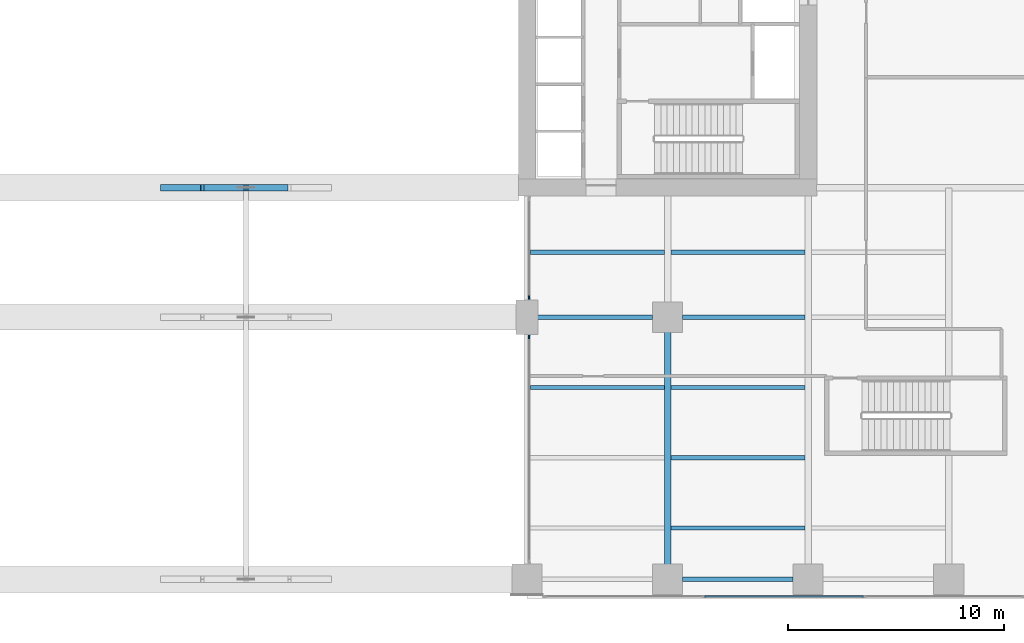
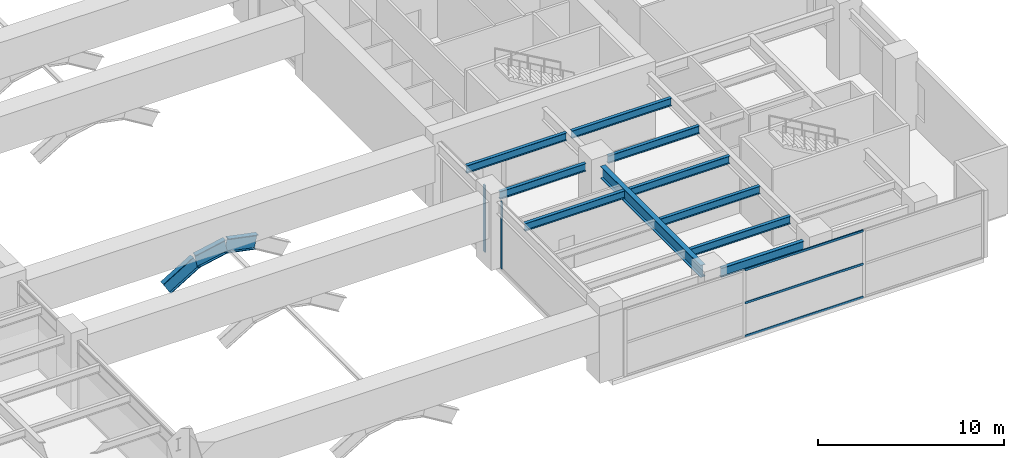
# One storey, part 4 of 23: 10 beams, 8 members, 3 elements without a shape of their own.
"""IFC4 building model written with IfcOpenShell, lengths in metres."""

from ifc_helpers import new_model, si_unit, direction, frame, origin, origin_2d, place, context, subcontext, project, spatial, rectangle, i_section, extrude, material, layer, layer_set, material_profile, profile_set, type_object, element, aggregate, save


model = new_model("IFC4")

# Units and contexts
model_context = context("Model", 3, precision=1e-05, world=origin(), true_north=direction((0.0, 1.0)))
body_context = subcontext(model_context, "Body", "Model", "MODEL_VIEW")
ifc_project = project(units=[si_unit("LENGTHUNIT", "METRE"), si_unit("AREAUNIT", "SQUARE_METRE"), si_unit("VOLUMEUNIT", "CUBIC_METRE"), si_unit("PLANEANGLEUNIT", "RADIAN"), si_unit("MASSUNIT", "GRAM", prefix="KILO")], contexts=[model_context])

# Site, building, storey
site_placement = place(None, origin())
site = spatial("IfcSite", under=ifc_project, at=site_placement, CompositionType="ELEMENT")
building_placement = place(site_placement, origin())
building = spatial("IfcBuilding", under=site, at=building_placement, Name="Putna Gate Headquarters", CompositionType="ELEMENT")
storey_placement = place(building_placement, frame((0.0, 0.0, 17.0)))
storey = spatial("IfcBuildingStorey", under=building, at=storey_placement, Name="L03", CompositionType="ELEMENT", Elevation=17.0)

# Beams
ifc_material_1 = material(Name="Steel S355J2", Category="steel")
ifc_material_profile_1 = material_profile(ifc_material_1, i_section(OverallWidth=0.300048828125, OverallDepth=0.800048828125, WebThickness=0.017578125, FlangeThickness=0.032958984375, at=origin_2d()), Name="Steel S355J2")
ifc_profile_set_1 = profile_set([ifc_material_profile_1], Name="Steel S355J2")
beam_type_1 = type_object("IfcBeamType", Name="BM-GIRD-P-HEB800", PredefinedType="USERDEFINED", material=ifc_profile_set_1)
beam_1_placement = place(storey_placement, frame((58.5, 1.568115234375, 4.0), z_axis=(0.0, 1.0, 0.0), x_axis=(-1.0, 0.0, 0.0)))
element("IfcBeam", 1, at=beam_1_placement, inside=storey, type_object=beam_type_1, Name="L03 South Primary Girder X58-1", ObjectType="GIRDER", PredefinedType="USERDEFINED", context=body_context, shape_type="SweptSolid", body=[
    extrude(i_section(OverallWidth=0.300048828125, OverallDepth=0.800048828125, WebThickness=0.017578125, FlangeThickness=0.032958984375, at=origin_2d()), origin(), (0.0, 0.0, 1.0), 10.743896484375),
])
ifc_material_profile_2 = material_profile(ifc_material_1, i_section(OverallWidth=0.199951171875, OverallDepth=0.5, WebThickness=0.01025390625, FlangeThickness=0.01611328125, at=origin_2d()), Name="Steel S355J2")
ifc_profile_set_2 = profile_set([ifc_material_profile_2], Name="Steel S355J2")
beam_type_2 = type_object("IfcBeamType", Name="BM-SEC-P-IPE500", PredefinedType="BEAM", material=ifc_profile_set_2)
beam_2_placement = place(storey_placement, frame((52.154052734375, 9.75, 4.14990234375), z_axis=(1.0, 0.0, 0.0), x_axis=(0.0, 1.0, 0.0)))
element("IfcBeam", 2, at=beam_2_placement, inside=storey, type_object=beam_type_2, Name="L03 South Secondary Beam 5", PredefinedType="BEAM", context=body_context, shape_type="SweptSolid", body=[
    extrude(i_section(OverallWidth=0.199951171875, OverallDepth=0.5, WebThickness=0.01025390625, FlangeThickness=0.01611328125, at=origin_2d()), origin(), (0.0, 0.0, 1.0), 6.19189453125),
])
beam_3_placement = place(storey_placement, frame((52.488037109375, 13.0, 4.14990234375), z_axis=(1.0, 0.0, 0.0), x_axis=(0.0, 1.0, 0.0)))
element("IfcBeam", 3, at=beam_3_placement, inside=storey, type_object=beam_type_2, Name="L03 South Secondary Beam 5", PredefinedType="BEAM", context=body_context, shape_type="SweptSolid", body=[
    extrude(i_section(OverallWidth=0.199951171875, OverallDepth=0.5, WebThickness=0.01025390625, FlangeThickness=0.01611328125, at=origin_2d()), origin(), (0.0, 0.0, 1.0), 5.323974609375),
])
for number, where, z_axis, x_axis, name in (
    (4, (52.154052734375, 16.0, 4.14990234375), (1.0, 0.0, 0.0), (0.0, 1.0, 0.0), "L03 South Secondary Beam 5"),
    (5, (58.654052734375, 3.25, 4.14990234375), (1.0, 0.0, 0.0), (0.0, 1.0, 0.0), "L03 South Secondary Beam 6"),
    (6, (58.654052734375, 6.5, 4.14990234375), (1.0, 0.0, 0.0), (0.0, 1.0, 0.0), "L03 South Secondary Beam 6"),
    (7, (58.654052734375, 9.75, 4.14990234375), (1.0, 0.0, 0.0), (0.0, 1.0, 0.0), "L03 South Secondary Beam 6"),
):
    element("IfcBeam", number, at=place(storey_placement, frame(where, z_axis=z_axis, x_axis=x_axis)), inside=storey, type_object=beam_type_2, Name=name, PredefinedType="BEAM", context=body_context, shape_type="SweptSolid", body=[
        extrude(i_section(OverallWidth=0.199951171875, OverallDepth=0.5, WebThickness=0.01025390625, FlangeThickness=0.01611328125, at=origin_2d()), origin(), (0.0, 0.0, 1.0), 6.19189453125),
    ])
beam_4_placement = place(storey_placement, frame((59.18798828125, 13.0, 4.14990234375), z_axis=(1.0, 0.0, 0.0), x_axis=(0.0, 1.0, 0.0)))
element("IfcBeam", 8, at=beam_4_placement, inside=storey, type_object=beam_type_2, Name="L03 South Secondary Beam 6", PredefinedType="BEAM", context=body_context, shape_type="SweptSolid", body=[
    extrude(i_section(OverallWidth=0.199951171875, OverallDepth=0.5, WebThickness=0.01025390625, FlangeThickness=0.01611328125, at=origin_2d()), origin(), (0.0, 0.0, 1.0), 5.657958984375),
])
beam_5_placement = place(storey_placement, frame((58.654052734375, 16.0, 4.14990234375), z_axis=(1.0, 0.0, 0.0), x_axis=(0.0, 1.0, 0.0)))
element("IfcBeam", 9, at=beam_5_placement, inside=storey, type_object=beam_type_2, Name="L03 South Secondary Beam 6", PredefinedType="BEAM", context=body_context, shape_type="SweptSolid", body=[
    extrude(i_section(OverallWidth=0.199951171875, OverallDepth=0.5, WebThickness=0.01025390625, FlangeThickness=0.01611328125, at=origin_2d()), origin(), (0.0, 0.0, 1.0), 6.19189453125),
])
ifc_material_profile_3 = material_profile(ifc_material_1, i_section(OverallWidth=0.219970703125, OverallDepth=0.60009765625, WebThickness=0.011962890625, FlangeThickness=0.01904296875, at=origin_2d()), Name="Steel S355J2")
ifc_profile_set_3 = profile_set([ifc_material_profile_3], Name="Steel S355J2")
beam_type_3 = type_object("IfcBeamType", Name="BM-SPAN-P-IPE600", PredefinedType="SPANDREL", material=ifc_profile_set_3)
beam_6_placement = place(storey_placement, frame((59.18798828125, 0.8798828125, 4.10009765625), z_axis=(1.0, 0.0, 0.0), x_axis=(0.0, 1.0, 0.0)))
element("IfcBeam", 10, at=beam_6_placement, inside=storey, type_object=beam_type_3, Name="L03 S Perimeter Spandrel 6", PredefinedType="SPANDREL", context=body_context, shape_type="SweptSolid", body=[
    extrude(i_section(OverallWidth=0.219970703125, OverallDepth=0.60009765625, WebThickness=0.011962890625, FlangeThickness=0.01904296875, at=origin_2d()), origin(), (0.0, 0.0, 1.0), 5.1240234375),
])

# Members
ifc_material_2 = material(Name="Steel S460M", Category="steel")
ifc_material_profile_4 = material_profile(ifc_material_2, i_section(OverallWidth=0.302001953125, OverallDepth=0.909912109375, WebThickness=0.02099609375, FlangeThickness=0.0400390625, at=origin_2d()), Name="Steel S460M")
ifc_profile_set_4 = profile_set([ifc_material_profile_4], Name="Steel S460M")
member_type_1 = type_object("IfcMemberType", Name="MEM-ARCH-CHORD-INT-HEM900", PredefinedType="STRUT", material=ifc_profile_set_4)
member_1_placement = place(storey_placement, frame((35.28564453125, 19.0, 0.447998046875), z_axis=(0.855013592355, 0.0, 0.518605588948), x_axis=(0.0, 1.0, 0.0)))
element("IfcMember", 11, at=member_1_placement, inside=storey, type_object=member_type_1, Name="Giant Parabolic Arch Chord AS-6", PredefinedType="STRUT", context=body_context, shape_type="SweptSolid", body=[
    extrude(i_section(OverallWidth=0.302001953125, OverallDepth=0.909912109375, WebThickness=0.02099609375, FlangeThickness=0.0400390625, at=origin_2d()), origin(), (0.0, 0.0, 1.0), 2.172119140625),
])
for number, where, z_axis, x_axis, name in (
    (12, (37.142822265625, 19.0, 1.574462890625), (0.980167187845, 0.0, 0.198172358999), (0.0, 1.0, 0.0), "Giant Parabolic Arch Chord AS-7"),
    (13, (39.0, 19.0, 1.949951171875), (0.980167187845, 0.0, -0.198172358999), (0.0, 1.0, 0.0), "Giant Parabolic Arch Chord AS-8"),
):
    element("IfcMember", number, at=place(storey_placement, frame(where, z_axis=z_axis, x_axis=x_axis)), inside=storey, type_object=member_type_1, Name=name, PredefinedType="STRUT", context=body_context, shape_type="SweptSolid", body=[
        extrude(i_section(OverallWidth=0.302001953125, OverallDepth=0.909912109375, WebThickness=0.02099609375, FlangeThickness=0.0400390625, at=origin_2d()), origin(), (0.0, 0.0, 1.0), 1.894775390625),
    ])

# Curtain wall, member
ifc_material_3 = material(Name="Anodised bronze aluminium curtain wall", Category="aluminium")
ifc_layer_1 = layer(ifc_material_3, 0.179931640625)
ifc_layer_set_1 = layer_set([ifc_layer_1], Name="Anodised bronze aluminium curtain wall")
curtain_wall_type_1 = type_object("IfcCurtainWallType", Name="CW-SYS-ATR", PredefinedType="USERDEFINED", material=ifc_layer_set_1)
curtain_wall_1_placement = place(storey_placement, origin())
curtain_wall_1 = element("IfcCurtainWall", 14, at=curtain_wall_1_placement, inside=storey, type_object=curtain_wall_type_1, Name="L03 Arch Flank Glazing E-S1", ObjectType="ATRIUM GLAZING", PredefinedType="USERDEFINED")
ifc_material_4 = material(Name="Anodised bronze aluminium EN AW-6060", Category="aluminium")
ifc_material_profile_5 = material_profile(ifc_material_4, rectangle(XDim=0.070068359375, YDim=0.179931640625, at=origin_2d()), Name="Anodised bronze aluminium EN AW-6060")
ifc_profile_set_5 = profile_set([ifc_material_profile_5], Name="Anodised bronze aluminium EN AW-6060")
member_type_2 = type_object("IfcMemberType", Name="MULL-CWM-AT", PredefinedType="MULLION", material=ifc_profile_set_5)
member_2_placement = place(storey_placement, frame((52.10009765625, 12.0849609375, 0.0), z_axis=(0.0, 0.0, 1.0), x_axis=(-1.0, 0.0, 0.0)))
member_2 = element("IfcMember", 15, at=member_2_placement, type_object=member_type_2, Name="CWS-AT mullion 2", PredefinedType="MULLION", context=body_context, shape_type="SweptSolid", body=[
    extrude(rectangle(XDim=0.070068359375, YDim=0.179931640625, at=origin_2d()), origin(), (0.0, 0.0, 1.0), 4.39990234375),
])
aggregate(curtain_wall_1, [member_2])

curtain_wall_2_placement = place(storey_placement, origin())
curtain_wall_2 = element("IfcCurtainWall", 16, at=curtain_wall_2_placement, inside=storey, type_object=curtain_wall_type_1, Name="L03 Arch Flank Glazing E-S2", ObjectType="ATRIUM GLAZING", PredefinedType="USERDEFINED")
member_3_placement = place(storey_placement, frame((52.10009765625, 13.9150390625, 0.0), z_axis=(0.0, 0.0, 1.0), x_axis=(-1.0, 0.0, 0.0)))
member_3 = element("IfcMember", 17, at=member_3_placement, type_object=member_type_2, Name="CWS-AT mullion 1", PredefinedType="MULLION", context=body_context, shape_type="SweptSolid", body=[
    extrude(rectangle(XDim=0.070068359375, YDim=0.179931640625, at=origin_2d()), origin(), (0.0, 0.0, 1.0), 4.39990234375),
])
aggregate(curtain_wall_2, [member_3])

# Curtain wall, members
ifc_layer_2 = layer(ifc_material_3, 0.179931640625)
ifc_layer_set_2 = layer_set([ifc_layer_2], Name="Anodised bronze aluminium curtain wall")
curtain_wall_type_2 = type_object("IfcCurtainWallType", Name="CW-SYS-POD", PredefinedType="USERDEFINED", material=ifc_layer_set_2)
curtain_wall_3_placement = place(storey_placement, origin())
curtain_wall_3 = element("IfcCurtainWall", 18, at=curtain_wall_3_placement, inside=storey, type_object=curtain_wall_type_2, Name="L03 South East Curtain Wall", ObjectType="STICK CURTAIN WALL", PredefinedType="USERDEFINED")
ifc_material_profile_6 = material_profile(ifc_material_4, rectangle(XDim=0.070068359375, YDim=0.139892578125, at=origin_2d()), Name="Anodised bronze aluminium EN AW-6060")
ifc_profile_set_6 = profile_set([ifc_material_profile_6], Name="Anodised bronze aluminium EN AW-6060")
member_type_3 = type_object("IfcMemberType", Name="TRAN-CWT-P", PredefinedType="USERDEFINED", material=ifc_profile_set_6)
member_4_placement = place(storey_placement, frame((60.2216796875, 0.080078125, 0.034912109375), z_axis=(1.0, 0.0, 0.0), x_axis=(0.0, 1.0, 0.0)))
member_4 = element("IfcMember", 19, at=member_4_placement, type_object=member_type_3, Name="CWS-P transom 2.1", ObjectType="TRANSOM", PredefinedType="USERDEFINED", context=body_context, shape_type="SweptSolid", body=[
    extrude(rectangle(XDim=0.070068359375, YDim=0.139892578125, at=origin_2d()), origin(), (0.0, 0.0, 1.0), 7.336669921875),
])
member_5_placement = place(storey_placement, frame((60.2216796875, 0.080078125, 2.199951171875), z_axis=(1.0, 0.0, 0.0), x_axis=(0.0, 1.0, 0.0)))
member_5 = element("IfcMember", 20, at=member_5_placement, type_object=member_type_3, Name="CWS-P transom 2.2", ObjectType="TRANSOM", PredefinedType="USERDEFINED", context=body_context, shape_type="SweptSolid", body=[
    extrude(rectangle(XDim=0.070068359375, YDim=0.139892578125, at=origin_2d()), origin(), (0.0, 0.0, 1.0), 7.336669921875),
])
member_6_placement = place(storey_placement, frame((60.2216796875, 0.080078125, 4.364990234375), z_axis=(1.0, 0.0, 0.0), x_axis=(0.0, 1.0, 0.0)))
member_6 = element("IfcMember", 21, at=member_6_placement, type_object=member_type_3, Name="CWS-P transom 2.3", ObjectType="TRANSOM", PredefinedType="USERDEFINED", context=body_context, shape_type="SweptSolid", body=[
    extrude(rectangle(XDim=0.070068359375, YDim=0.139892578125, at=origin_2d()), origin(), (0.0, 0.0, 1.0), 7.336669921875),
])
aggregate(curtain_wall_3, [member_4, member_5, member_6])

save(model, "model.ifc")
